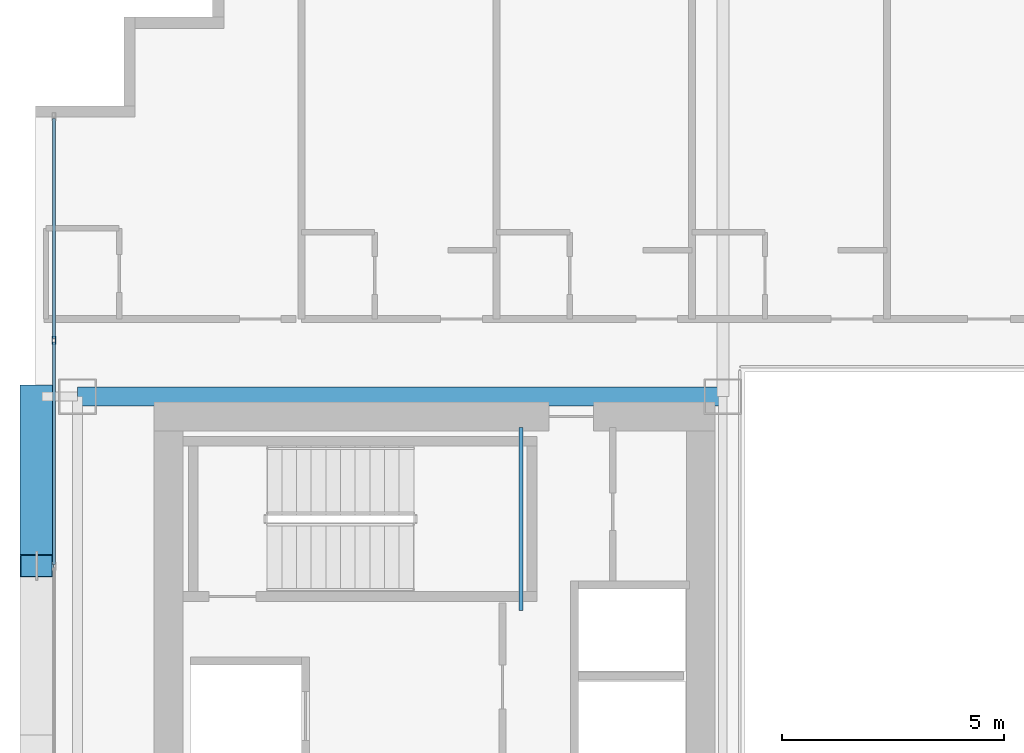
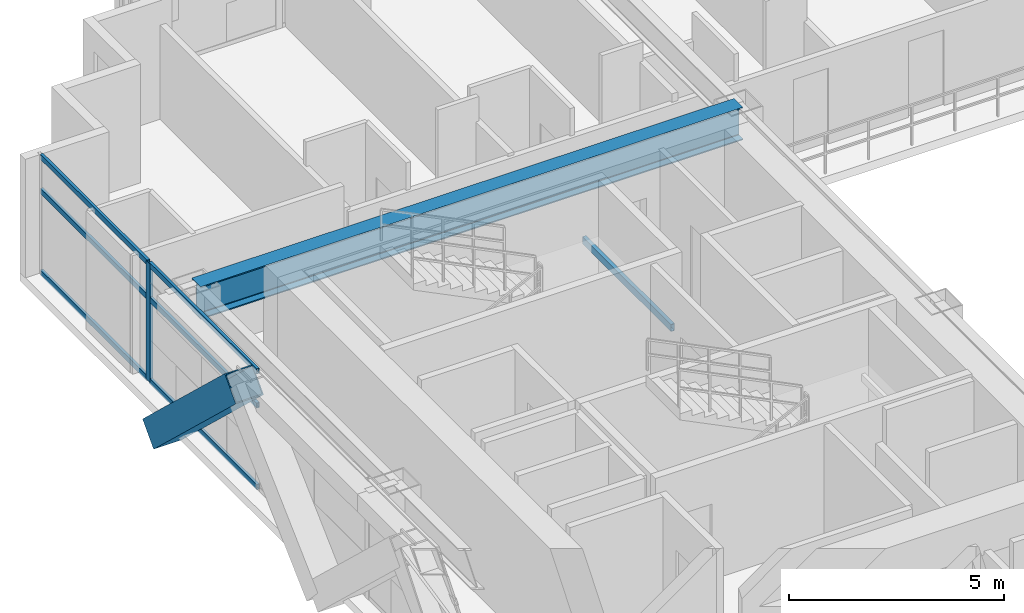
# One storey, part 16 of 36: 8 members, 2 beams, 1 element without a shape of its own.
"""IFC4 building model written with IfcOpenShell, lengths in metres."""

from ifc_helpers import new_model, si_unit, direction, frame, origin, origin_2d, place, context, subcontext, project, spatial, hollow_rectangle, i_section, extrude, source, transform, mapped, material, layer, layer_set, material_profile, profile_set, type_object, element, aggregate, save


model = new_model("IFC4")

# Units and contexts
model_context = context("Model", 3, precision=1e-05, world=origin(), true_north=direction((0.0, 1.0)))
body_context = subcontext(model_context, "Body", "Model", "MODEL_VIEW")
ifc_project = project(units=[si_unit("LENGTHUNIT", "METRE"), si_unit("AREAUNIT", "SQUARE_METRE"), si_unit("VOLUMEUNIT", "CUBIC_METRE"), si_unit("PLANEANGLEUNIT", "RADIAN"), si_unit("MASSUNIT", "GRAM", prefix="KILO")], contexts=[model_context])

# Site, building, storey
site_placement = place(None, origin())
site = spatial("IfcSite", under=ifc_project, at=site_placement, CompositionType="ELEMENT")
building_placement = place(site_placement, origin())
building = spatial("IfcBuilding", under=site, at=building_placement, Name="Ocotamira Hotel", CompositionType="ELEMENT")
storey_placement = place(building_placement, frame((0.0, 0.0, 133.199951171875)))
storey = spatial("IfcBuildingStorey", under=building, at=storey_placement, Name="L33", CompositionType="ELEMENT", Elevation=133.199951171875)

# Beams
ifc_material_1 = material(Name="Steel ASTM A500 Grade C", Category="steel")
ifc_material_profile_1 = material_profile(ifc_material_1, hollow_rectangle(XDim=0.10009765625, YDim=0.199951171875, WallThickness=0.008056640625, at=origin_2d()), Name="HSS200X100X8")
ifc_profile_set_1 = profile_set([ifc_material_profile_1], Name="Steel ASTM A500 Grade C")
beam_type_1 = type_object("IfcBeamType", Name="BM-STLDG-HSS200", PredefinedType="BEAM", material=ifc_profile_set_1)
shared_shape_1 = source(origin(), body_context, "Body", "SweptSolid", [
    extrude(hollow_rectangle(XDim=0.10009765625, YDim=0.199951171875, WallThickness=0.008056640625, at=origin_2d()), origin(), (0.0, 0.0, 1.0), 4.1201171875),
])
beam_1_placement = place(storey_placement, frame((18.949951171875, 32.6298828125, 1.5), z_axis=(0.0, 1.0, 0.0), x_axis=(-1.0, 0.0, 0.0)))
element("IfcBeam", 1, at=beam_1_placement, inside=storey, type_object=beam_type_1, Name="L33 Stair ST-2 Landing Bearer 1", PredefinedType="BEAM", context=body_context, shape_type="MappedRepresentation", body=[
    mapped(shared_shape_1, transform((0.0, 0.0, 0.0), scale=1.0)),
])
ifc_material_2 = material(Name="Steel ASTM A992 Grade 50", Category="steel")
ifc_material_profile_2 = material_profile(ifc_material_2, i_section(OverallWidth=0.41796875, OverallDepth=0.927001953125, WebThickness=0.019287109375, FlangeThickness=0.031982421875, FilletRadius=0.02392578125, at=origin_2d()), Name="W36X231")
ifc_profile_set_2 = profile_set([ifc_material_profile_2], Name="Steel ASTM A992 Grade 50")
beam_type_2 = type_object("IfcBeamType", Name="BM-GIRD-W36X231", PredefinedType="BEAM", material=ifc_profile_set_2)
shared_shape_2 = source(origin(), body_context, "Body", "SweptSolid", [
    extrude(i_section(OverallWidth=0.41796875, OverallDepth=0.927001953125, WebThickness=0.019287109375, FlangeThickness=0.031982421875, FilletRadius=0.02392578125, at=origin_2d()), origin(), (0.0, 0.0, 1.0), 14.550048828125),
])
beam_2_placement = place(storey_placement, frame((8.949951171875, 37.449951171875, 2.896484375), z_axis=(1.0, 0.0, 0.0), x_axis=(0.0, 1.0, 0.0)))
element("IfcBeam", 2, at=beam_2_placement, inside=storey, type_object=beam_type_2, Name="L33 Girder Y37.45 X8.95-23.5", PredefinedType="BEAM", context=body_context, shape_type="MappedRepresentation", body=[
    mapped(shared_shape_2, transform((0.0, 0.0, 0.0), scale=1.0)),
])

# Member
ifc_material_3 = material(Name="Pale-metal coated steel ASTM A913 Grade 65", Category="steel")
ifc_material_profile_3 = material_profile(ifc_material_3, hollow_rectangle(XDim=0.75, YDim=0.75, WallThickness=0.028076171875, at=origin_2d()), Name="BOX750X750X28")
ifc_profile_set_3 = profile_set([ifc_material_profile_3], Name="Pale-metal coated steel ASTM A913 Grade 65")
member_type_1 = type_object("IfcMemberType", Name="MEM-EXO-BOX750", PredefinedType="BRACE", material=ifc_profile_set_3)
shared_shape_3 = source(origin(), body_context, "Body", "SweptSolid", [
    extrude(hollow_rectangle(XDim=0.75, YDim=0.75, WallThickness=0.028076171875, at=origin_2d()), origin(), (0.0, 0.0, 1.0), 5.24658203125),
])
member_1_placement = place(storey_placement, frame((8.030029296875, 37.449951171875, -0.489990234375), z_axis=(0.0, -0.727442733726, 0.686168397078), x_axis=(1.0, 0.0, 0.0)))
element("IfcMember", 3, at=member_1_placement, inside=storey, type_object=member_type_1, Name="L33 Exoskeleton Diagrid W2.2", PredefinedType="BRACE", context=body_context, shape_type="MappedRepresentation", body=[
    mapped(shared_shape_3, transform((0.0, 0.0, 0.0), scale=1.0)),
])

# Curtain wall, members
ifc_material_4 = material(Name="Anodised pale-metal aluminium and solar glass", Category="aluminium")
ifc_layer = layer(ifc_material_4, 0.179931640625)
ifc_layer_set = layer_set([ifc_layer], Name="Anodised pale-metal aluminium and solar glass")
curtain_wall_type = type_object("IfcCurtainWallType", Name="CW-SYS3-Z2", PredefinedType="NOTDEFINED", material=ifc_layer_set)
curtain_wall_placement = place(storey_placement, origin())
curtain_wall = element("IfcCurtainWall", 4, at=curtain_wall_placement, inside=storey, type_object=curtain_wall_type, Name="L33 Curtain Wall CW-3 CW-L33-W", PredefinedType="NOTDEFINED")
ifc_material_5 = material(Name="Anodised pale-metal aluminium 6063-T6", Category="aluminium")
ifc_material_profile_4 = material_profile(ifc_material_5, hollow_rectangle(XDim=0.074951171875, YDim=0.14990234375, WallThickness=0.006103515625, at=origin_2d()), Name="HSS150X75X6")
ifc_profile_set_4 = profile_set([ifc_material_profile_4], Name="Anodised pale-metal aluminium 6063-T6")
member_type_2 = type_object("IfcMemberType", Name="CWT-150X75", PredefinedType="USERDEFINED", material=ifc_profile_set_4)
shared_shape_4 = source(origin(), body_context, "Body", "SweptSolid", [
    extrude(hollow_rectangle(XDim=0.074951171875, YDim=0.14990234375, WallThickness=0.006103515625, at=origin_2d()), origin(), (0.0, 0.0, 1.0), 4.965576171875),
])
member_2_placement = place(storey_placement, frame((8.419921875, 38.75439453125, 0.03759765625), z_axis=(0.0, 1.0, 0.0), x_axis=(-1.0, 0.0, 0.0)))
member_2 = element("IfcMember", 5, at=member_2_placement, type_object=member_type_2, Name="CW-3 transom 7.1", ObjectType="TRANSOM", PredefinedType="USERDEFINED", context=body_context, shape_type="MappedRepresentation", body=[
    mapped(shared_shape_4, transform((0.0, 0.0, 0.0), scale=1.0)),
])
member_3_placement = place(storey_placement, frame((8.419921875, 38.75439453125, 2.35009765625), z_axis=(0.0, 1.0, 0.0), x_axis=(-1.0, 0.0, 0.0)))
member_3 = element("IfcMember", 6, at=member_3_placement, type_object=member_type_2, Name="CW-3 transom 7.2", ObjectType="TRANSOM", PredefinedType="USERDEFINED", context=body_context, shape_type="MappedRepresentation", body=[
    mapped(shared_shape_4, transform((0.0, 0.0, 0.0), scale=1.0)),
])
member_4_placement = place(storey_placement, frame((8.419921875, 38.75439453125, 3.322509765625), z_axis=(0.0, 1.0, 0.0), x_axis=(-1.0, 0.0, 0.0)))
member_4 = element("IfcMember", 7, at=member_4_placement, type_object=member_type_2, Name="CW-3 transom 7.3", ObjectType="TRANSOM", PredefinedType="USERDEFINED", context=body_context, shape_type="MappedRepresentation", body=[
    mapped(shared_shape_4, transform((0.0, 0.0, 0.0), scale=1.0)),
])
shared_shape_5 = source(origin(), body_context, "Body", "SweptSolid", [
    extrude(hollow_rectangle(XDim=0.074951171875, YDim=0.14990234375, WallThickness=0.006103515625, at=origin_2d()), origin(), (0.0, 0.0, 1.0), 5.005859375),
])
member_5_placement = place(storey_placement, frame((8.419921875, 33.66845703125, 0.03759765625), z_axis=(0.0, 1.0, 0.0), x_axis=(-1.0, 0.0, 0.0)))
member_5 = element("IfcMember", 8, at=member_5_placement, type_object=member_type_2, Name="CW-3 transom 6.1", ObjectType="TRANSOM", PredefinedType="USERDEFINED", context=body_context, shape_type="MappedRepresentation", body=[
    mapped(shared_shape_5, transform((0.0, 0.0, 0.0), scale=1.0)),
])
member_6_placement = place(storey_placement, frame((8.419921875, 33.66845703125, 2.35009765625), z_axis=(0.0, 1.0, 0.0), x_axis=(-1.0, 0.0, 0.0)))
member_6 = element("IfcMember", 9, at=member_6_placement, type_object=member_type_2, Name="CW-3 transom 6.2", ObjectType="TRANSOM", PredefinedType="USERDEFINED", context=body_context, shape_type="MappedRepresentation", body=[
    mapped(shared_shape_5, transform((0.0, 0.0, 0.0), scale=1.0)),
])
member_7_placement = place(storey_placement, frame((8.419921875, 33.66845703125, 3.322509765625), z_axis=(0.0, 1.0, 0.0), x_axis=(-1.0, 0.0, 0.0)))
member_7 = element("IfcMember", 10, at=member_7_placement, type_object=member_type_2, Name="CW-3 transom 6.3", ObjectType="TRANSOM", PredefinedType="USERDEFINED", context=body_context, shape_type="MappedRepresentation", body=[
    mapped(shared_shape_5, transform((0.0, 0.0, 0.0), scale=1.0)),
])
ifc_material_profile_5 = material_profile(ifc_material_5, hollow_rectangle(XDim=0.080078125, YDim=0.179931640625, WallThickness=0.006103515625, at=origin_2d()), Name="HSS180X80X6")
ifc_profile_set_5 = profile_set([ifc_material_profile_5], Name="Anodised pale-metal aluminium 6063-T6")
member_type_3 = type_object("IfcMemberType", Name="CWM-180X75", PredefinedType="MULLION", material=ifc_profile_set_5)
shared_shape_6 = source(origin(), body_context, "Body", "SweptSolid", [
    extrude(hollow_rectangle(XDim=0.080078125, YDim=0.179931640625, WallThickness=0.006103515625, at=origin_2d()), origin(), (0.0, 0.0, 1.0), 3.360107421875),
])
member_8_placement = place(storey_placement, frame((8.419921875, 38.71435546875, 0.0), z_axis=(0.0, 0.0, 1.0), x_axis=(-1.0, 0.0, 0.0)))
member_8 = element("IfcMember", 11, at=member_8_placement, type_object=member_type_3, Name="CW-3 mullion 7", PredefinedType="MULLION", context=body_context, shape_type="MappedRepresentation", body=[
    mapped(shared_shape_6, transform((0.0, 0.0, 0.0), scale=1.0)),
])
aggregate(curtain_wall, [member_8, member_5, member_6, member_7, member_2, member_3, member_4])

save(model, "model.ifc")
